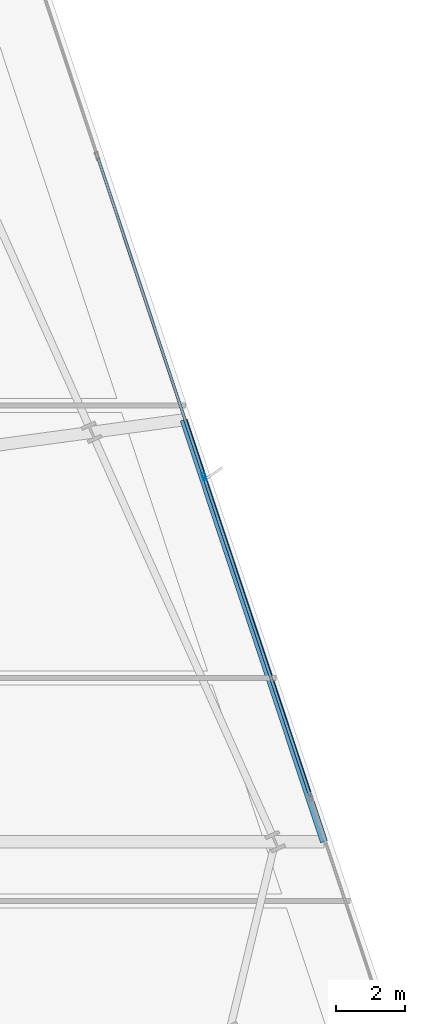
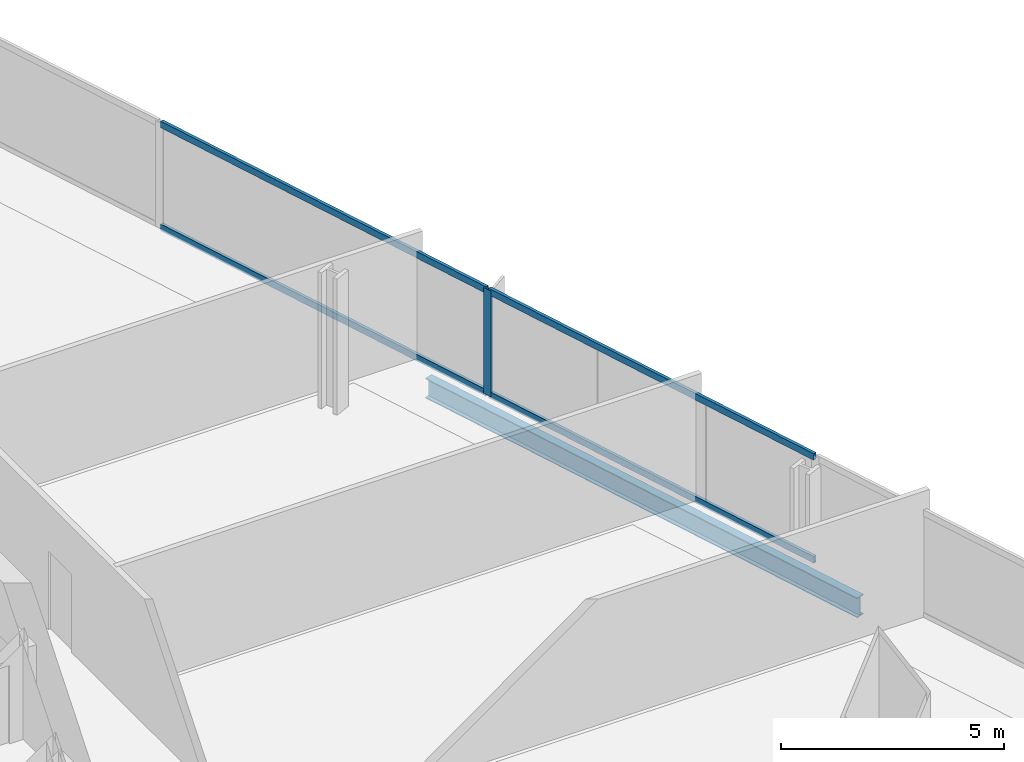
# One storey, part 20 of 34: 5 members, 1 beam, 1 element without a shape of its own.
"""IFC4 building model written with IfcOpenShell, lengths in metres."""

from ifc_helpers import new_model, si_unit, direction, frame, origin, origin_2d, place, context, subcontext, project, spatial, hollow_rectangle, i_section, extrude, material, material_profile, profile_set, type_object, element, aggregate, save


model = new_model("IFC4")

# Units and contexts
model_context = context("Model", 3, precision=1e-05, world=origin(), true_north=direction((0.0, 1.0)))
body_context = subcontext(model_context, "Body", "Model", "MODEL_VIEW")
ifc_project = project(units=[si_unit("LENGTHUNIT", "METRE"), si_unit("AREAUNIT", "SQUARE_METRE"), si_unit("VOLUMEUNIT", "CUBIC_METRE"), si_unit("PLANEANGLEUNIT", "RADIAN"), si_unit("MASSUNIT", "GRAM", prefix="KILO")], contexts=[model_context])

# Site, building, storey
site_placement = place(None, origin())
site = spatial("IfcSite", under=ifc_project, at=site_placement, CompositionType="ELEMENT")
building_placement = place(site_placement, origin())
building = spatial("IfcBuilding", under=site, at=building_placement, Name="Haldenkirk Collegiate Tower", CompositionType="ELEMENT")
storey_placement = place(building_placement, frame((0.0, 0.0, 90.449951171875)))
storey = spatial("IfcBuildingStorey", under=building, at=storey_placement, Name="L21", CompositionType="ELEMENT", Elevation=90.449951171875)

# Beam
ifc_material_1 = material(Name="Steel ASTM A992 Grade 50", Category="steel")
ifc_material_profile_1 = material_profile(ifc_material_1, i_section(OverallWidth=0.2119140625, OverallDepth=0.5439453125, WebThickness=0.01318359375, FlangeThickness=0.021240234375, at=origin_2d()), Name="W21X83")
ifc_profile_set_1 = profile_set([ifc_material_profile_1], Name="Steel ASTM A992 Grade 50")
beam_type = type_object("IfcBeamType", Name="BM-SPANDREL-W21X83", PredefinedType="SPANDREL", material=ifc_profile_set_1)
beam_placement = place(storey_placement, frame((64.030517578125, 23.727294921875, -0.572021484375), z_axis=(-0.315651604935, 0.948875157385, 0.0), x_axis=(-0.948875157385, -0.315651604935, 0.0)))
element("IfcBeam", 1, at=beam_placement, inside=storey, type_object=beam_type, Name="L21 outer facade edge beam 2", PredefinedType="SPANDREL", context=body_context, shape_type="SweptSolid", body=[
    extrude(i_section(OverallWidth=0.2119140625, OverallDepth=0.5439453125, WebThickness=0.01318359375, FlangeThickness=0.021240234375, at=origin_2d()), origin(), (0.0, 0.0, 1.0), 12.9677734375),
])

# Curtain wall, members
ifc_material_2 = material(Name="Anodised architectural bronze aluminium", Category="aluminium")
curtain_wall_type = type_object("IfcCurtainWallType", Name="CW-SYS1-CONVEX-LOW", PredefinedType="USERDEFINED", material=ifc_material_2)
curtain_wall_placement = place(storey_placement, origin())
curtain_wall = element("IfcCurtainWall", 2, at=curtain_wall_placement, inside=storey, type_object=curtain_wall_type, Name="L21 Lower tower convex bronze-framed unitised curtain wall", ObjectType="UNITISED CURTAIN WALL", PredefinedType="USERDEFINED")
ifc_material_profile_2 = material_profile(ifc_material_2, hollow_rectangle(XDim=0.080078125, YDim=0.219970703125, WallThickness=0.0048828125, at=origin_2d()), Name="CW-MUL-1A")
ifc_profile_set_2 = profile_set([ifc_material_profile_2], Name="Anodised architectural bronze aluminium")
member_type_1 = type_object("IfcMemberType", Name="CW-MUL-1A", PredefinedType="MULLION", material=ifc_profile_set_2)
member_1_placement = place(storey_placement, frame((60.53173828125, 34.371337890625, 0.0), z_axis=(0.0, 0.0, 1.0), x_axis=(0.948876521826, 0.315647503281, 0.0)))
member_1 = element("IfcMember", 3, at=member_1_placement, type_object=member_type_1, Name="CW-1A mullion 3", PredefinedType="MULLION", context=body_context, shape_type="SweptSolid", body=[
    extrude(hollow_rectangle(XDim=0.080078125, YDim=0.219970703125, WallThickness=0.0048828125, at=origin_2d()), origin(), (0.0, 0.0, 1.0), 2.901123046875),
])
ifc_material_profile_3 = material_profile(ifc_material_2, hollow_rectangle(XDim=0.080078125, YDim=0.179931640625, WallThickness=0.0048828125, at=origin_2d()), Name="CW-TRN-1A")
ifc_profile_set_3 = profile_set([ifc_material_profile_3], Name="Anodised architectural bronze aluminium")
member_type_2 = type_object("IfcMemberType", Name="CW-TRN-1A", PredefinedType="USERDEFINED", material=ifc_profile_set_3)
member_2_placement = place(storey_placement, frame((57.435302734375, 43.679931640625, 0.0400390625), z_axis=(0.315635466209, -0.94888052592, 0.0), x_axis=(0.94888052592, 0.315635466209, 0.0)))
member_2 = element("IfcMember", 4, at=member_2_placement, type_object=member_type_2, Name="CW-1A transom 2.1", ObjectType="TRANSOM", PredefinedType="USERDEFINED", context=body_context, shape_type="SweptSolid", body=[
    extrude(hollow_rectangle(XDim=0.080078125, YDim=0.179931640625, WallThickness=0.0048828125, at=origin_2d()), origin(), (0.0, 0.0, 1.0), 9.77001953125),
])
member_3_placement = place(storey_placement, frame((57.435302734375, 43.679931640625, 2.861083984375), z_axis=(0.315635466209, -0.94888052592, 0.0), x_axis=(0.94888052592, 0.315635466209, 0.0)))
member_3 = element("IfcMember", 5, at=member_3_placement, type_object=member_type_2, Name="CW-1A transom 2.2", ObjectType="TRANSOM", PredefinedType="USERDEFINED", context=body_context, shape_type="SweptSolid", body=[
    extrude(hollow_rectangle(XDim=0.080078125, YDim=0.179931640625, WallThickness=0.0048828125, at=origin_2d()), origin(), (0.0, 0.0, 1.0), 9.77001953125),
])
member_4_placement = place(storey_placement, frame((60.54443359375, 34.33349609375, 0.0400390625), z_axis=(0.315635466209, -0.94888052592, 0.0), x_axis=(0.94888052592, 0.315635466209, 0.0)))
member_4 = element("IfcMember", 6, at=member_4_placement, type_object=member_type_2, Name="CW-1A transom 3.1", ObjectType="TRANSOM", PredefinedType="USERDEFINED", context=body_context, shape_type="SweptSolid", body=[
    extrude(hollow_rectangle(XDim=0.080078125, YDim=0.179931640625, WallThickness=0.0048828125, at=origin_2d()), origin(), (0.0, 0.0, 1.0), 9.77001953125),
])
member_5_placement = place(storey_placement, frame((60.54443359375, 34.33349609375, 2.861083984375), z_axis=(0.315635466209, -0.94888052592, 0.0), x_axis=(0.94888052592, 0.315635466209, 0.0)))
member_5 = element("IfcMember", 7, at=member_5_placement, type_object=member_type_2, Name="CW-1A transom 3.2", ObjectType="TRANSOM", PredefinedType="USERDEFINED", context=body_context, shape_type="SweptSolid", body=[
    extrude(hollow_rectangle(XDim=0.080078125, YDim=0.179931640625, WallThickness=0.0048828125, at=origin_2d()), origin(), (0.0, 0.0, 1.0), 9.77001953125),
])
aggregate(curtain_wall, [member_1, member_2, member_3, member_4, member_5])

save(model, "model.ifc")
